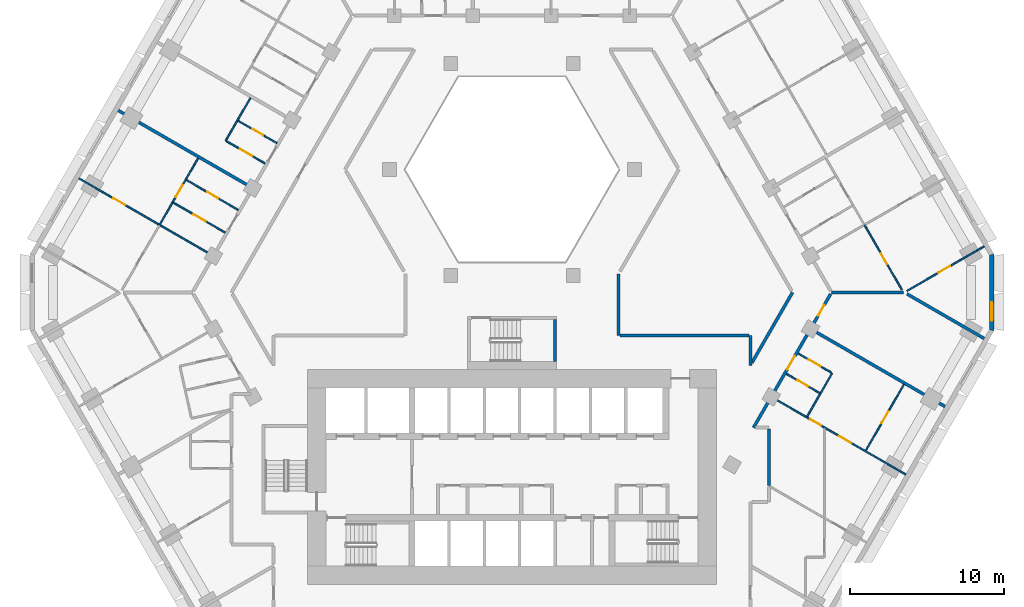
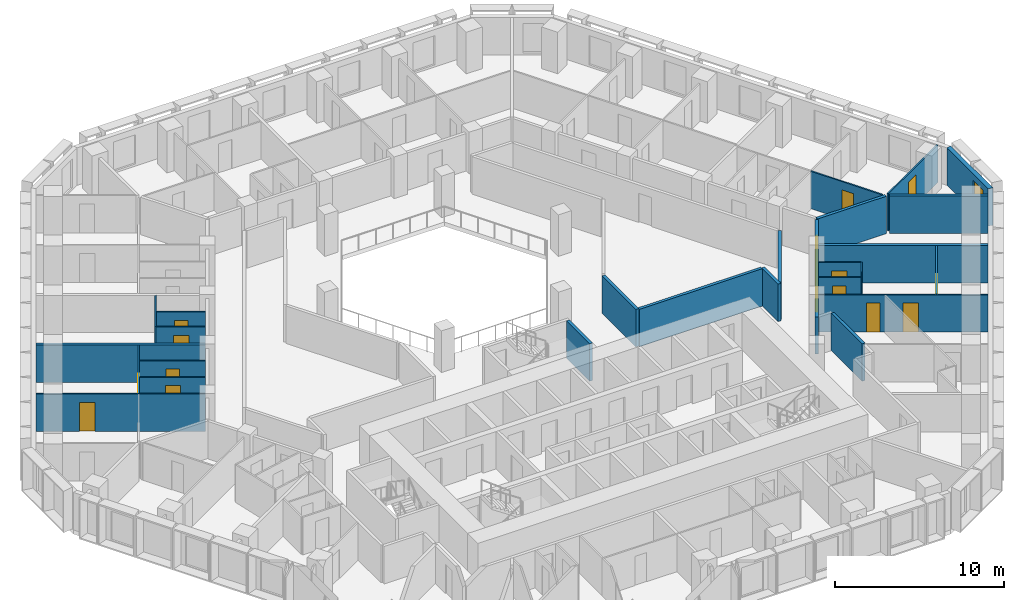
# One storey, part 7 of 16: 26 walls, 15 doors, 1 window, 16 openings.
"""IFC4 building model written with IfcOpenShell, lengths in metres."""

from ifc_helpers import new_model, si_unit, direction, frame, frame_2d, origin, place, context, subcontext, project, spatial, polyline, rectangle, outline, extrude, material, layer, layer_set, type_object, element, fill, save


model = new_model("IFC4")

# Units and contexts
model_context = context("Model", 3, precision=1e-05, world=origin(), true_north=direction((0.0, 1.0)))
body_context = subcontext(model_context, "Body", "Model", "MODEL_VIEW")
ifc_project = project(units=[si_unit("LENGTHUNIT", "METRE"), si_unit("AREAUNIT", "SQUARE_METRE"), si_unit("VOLUMEUNIT", "CUBIC_METRE"), si_unit("PLANEANGLEUNIT", "RADIAN"), si_unit("MASSUNIT", "GRAM", prefix="KILO")], contexts=[model_context])

# Site, building, storey
site_placement = place(None, origin())
site = spatial("IfcSite", under=ifc_project, at=site_placement, CompositionType="ELEMENT")
building_placement = place(site_placement, origin())
building = spatial("IfcBuilding", under=site, at=building_placement, Name="Beryl Residences", CompositionType="ELEMENT")
storey_placement = place(building_placement, frame((0.0, 0.0, 56.39990234375)))
storey = spatial("IfcBuildingStorey", under=building, at=storey_placement, Name="L17", CompositionType="ELEMENT", Elevation=56.39990234375)

# Wall, opening, window
ifc_material_1 = material(Name="Composite metal panel with mineral wool insulation")
ifc_layer_1 = layer(ifc_material_1, 0.300048828125)
ifc_layer_set_1 = layer_set([ifc_layer_1], Name="ES1 pale metal composite panel wall 300 mm")
wall_type_1 = type_object("IfcWallType", Name="ES1 pale metal composite panel wall 300 mm", PredefinedType="SOLIDWALL", material=ifc_layer_set_1)
wall_1_placement = place(storey_placement, frame((31.199951171875, -2.5, 0.0), z_axis=(0.0, 0.0, 1.0), x_axis=(0.0, 1.0, 0.0)))
wall_1 = element("IfcWall", 1, at=wall_1_placement, inside=storey, type_object=wall_type_1, Name="ES1 external wall L17 SE-NE", PredefinedType="SOLIDWALL", context=body_context, shape_type="SweptSolid", body=[
    extrude(outline(polyline([(0.0, -0.14990234375), (5.0, -0.14990234375), (4.919677734375, 0.14990234375), (0.080322265625, 0.14990234375), (0.0, -0.14990234375)])), origin(), (0.0, 0.0, 1.0), 2.7001953125),
])
opening_1_placement = place(wall_1_placement, frame((0.64990234375, 0.0, 0.14990234375)))
opening_1 = element("IfcOpeningElement", 2, at=opening_1_placement, cuts=wall_1, Name="Opening W2", PredefinedType="OPENING", context=body_context, shape_type="SweptSolid", body=[
    extrude(rectangle(XDim=1.199951171875, YDim=2.10009765625, at=frame_2d((0.60009765625, 1.050048828125))), frame((0.0, 0.159912109375, 0.0), z_axis=(0.0, -1.0, 0.0), x_axis=(1.0, 0.0, 0.0)), (0.0, 0.0, 1.0), 0.320068359375),
])
ifc_material_2 = material(Name="Aluminium and clear glass", Category="aluminium")
window_type = type_object("IfcWindowType", Name="W2 chamfer window 1200 x 2100 mm", PartitioningType="SINGLE_PANEL", PredefinedType="WINDOW", material=ifc_material_2)
window_placement = place(opening_1_placement, origin())
window = element("IfcWindow", 3, at=window_placement, inside=storey, type_object=window_type, Name="W2 window L17 SE-NE 1", OverallHeight=2.10009765625, OverallWidth=1.199951171875, PartitioningType="SINGLE_PANEL", PredefinedType="WINDOW", context=body_context, shape_type="SweptSolid", body=[
    extrude(rectangle(XDim=1.199951171875, YDim=2.10009765625, at=frame_2d((0.60009765625, 1.050048828125))), frame((0.0, 0.030029296875, 0.0), z_axis=(0.0, -1.0, 0.0), x_axis=(1.0, 0.0, 0.0)), (0.0, 0.0, 1.0), 0.06005859375),
])
fill(opening_1, window)

# Wall, opening, door
ifc_material_3 = material(Name="Gypsum board partition on steel studs", Category="steel")
ifc_layer_2 = layer(ifc_material_3, 0.10009765625)
ifc_layer_set_2 = layer_set([ifc_layer_2], Name="PT1 partition 100 mm gypsum board on steel studs")
wall_type_2 = type_object("IfcWallType", Name="PT1 partition 100 mm gypsum board on steel studs", PredefinedType="PARTITIONING", material=ifc_layer_set_2)
wall_2_placement = place(storey_placement, frame((-21.177001953125, 7.31396484375, 0.0), z_axis=(0.0, 0.0, 1.0), x_axis=(0.865979019114, -0.500080332001, 0.0)))
wall_2 = element("IfcWall", 4, at=wall_2_placement, inside=storey, type_object=wall_type_2, Name="Wall PT1 L17 011", PredefinedType="PARTITIONING", context=body_context, shape_type="SweptSolid", body=[
    extrude(rectangle(XDim=3.897216796875, YDim=0.10009765625, at=frame_2d((1.94873046875, 0.0))), origin(), (0.0, 0.0, 1.0), 2.7001953125),
])
opening_2_placement = place(wall_2_placement, frame((1.573974609375, 0.0, 0.0)))
opening_2 = element("IfcOpeningElement", 5, at=opening_2_placement, cuts=wall_2, Name="Opening D0505", PredefinedType="OPENING", context=body_context, shape_type="SweptSolid", body=[
    extrude(rectangle(XDim=0.800048828125, YDim=2.10009765625, at=frame_2d((0.39990234375, 1.050048828125))), frame((0.0, 0.06005859375, 0.0), z_axis=(0.0, -1.0, 0.0), x_axis=(1.0, 0.0, 0.0)), (0.0, 0.0, 1.0), 0.1201171875),
])
ifc_material_4 = material(Name="Timber door leaf", Category="wood")
door_type_1 = type_object("IfcDoorType", Name="D3 bathroom door 800 x 2100 mm", OperationType="SINGLE_SWING_LEFT", PredefinedType="DOOR", material=ifc_material_4)
door_1_placement = place(opening_2_placement, origin())
door_1 = element("IfcDoor", 6, at=door_1_placement, inside=storey, type_object=door_type_1, Name="Door D0505 L17 001", OperationType="SINGLE_SWING_LEFT", OverallHeight=2.10009765625, OverallWidth=0.800048828125, PredefinedType="DOOR", context=body_context, shape_type="SweptSolid", body=[
    extrude(rectangle(XDim=0.800048828125, YDim=2.10009765625, at=frame_2d((0.39990234375, 1.050048828125))), frame((0.0, 0.02490234375, 0.0), z_axis=(0.0, -1.0, 0.0), x_axis=(1.0, 0.0, 0.0)), (0.0, 0.0, 1.0), 0.050048828125),
])
fill(opening_2, door_1)

wall_3_placement = place(storey_placement, frame((-22.027099609375, 5.842041015625, 0.0), z_axis=(0.0, 0.0, 1.0), x_axis=(0.865979019114, -0.500080332001, 0.0)))
wall_3 = element("IfcWall", 7, at=wall_3_placement, inside=storey, type_object=wall_type_2, Name="Wall PT1 L17 012", PredefinedType="PARTITIONING", context=body_context, shape_type="SweptSolid", body=[
    extrude(rectangle(XDim=3.897216796875, YDim=0.10009765625, at=frame_2d((1.94873046875, 0.0))), origin(), (0.0, 0.0, 1.0), 2.7001953125),
])
opening_3_placement = place(wall_3_placement, frame((1.52392578125, 0.0, 0.0)))
opening_3 = element("IfcOpeningElement", 8, at=opening_3_placement, cuts=wall_3, Name="Opening D0506", PredefinedType="OPENING", context=body_context, shape_type="SweptSolid", body=[
    extrude(rectangle(XDim=0.89990234375, YDim=2.10009765625, at=frame_2d((0.449951171875, 1.050048828125))), frame((0.0, 0.06005859375, 0.0), z_axis=(0.0, -1.0, 0.0), x_axis=(1.0, 0.0, 0.0)), (0.0, 0.0, 1.0), 0.1201171875),
])
ifc_material_5 = material(Name="Timber door leaf", Category="wood")
door_type_2 = type_object("IfcDoorType", Name="D2 room door 900 x 2100 mm", OperationType="SINGLE_SWING_LEFT", PredefinedType="DOOR", material=ifc_material_5)
door_2_placement = place(opening_3_placement, origin())
door_2 = element("IfcDoor", 9, at=door_2_placement, inside=storey, type_object=door_type_2, Name="Door D0506 L17 001", OperationType="SINGLE_SWING_RIGHT", OverallHeight=2.10009765625, OverallWidth=0.89990234375, PredefinedType="DOOR", context=body_context, shape_type="SweptSolid", body=[
    extrude(rectangle(XDim=0.89990234375, YDim=2.10009765625, at=frame_2d((0.449951171875, 1.050048828125))), frame((0.0, 0.02490234375, 0.0), z_axis=(0.0, -1.0, 0.0), x_axis=(1.0, 0.0, 0.0)), (0.0, 0.0, 1.0), 0.050048828125),
])
fill(opening_3, door_2)

wall_4_placement = place(storey_placement, frame((-28.1640625, 7.4189453125, 0.0), z_axis=(0.0, 0.0, 1.0), x_axis=(0.866047370643, -0.499961950354, 0.0)))
wall_4 = element("IfcWall", 10, at=wall_4_placement, inside=storey, type_object=wall_type_2, Name="Wall PT1 L17 013", PredefinedType="PARTITIONING", context=body_context, shape_type="SweptSolid", body=[
    extrude(rectangle(XDim=10.000732421875, YDim=0.10009765625, at=frame_2d((5.00048828125, 0.0))), origin(), (0.0, 0.0, 1.0), 2.7001953125),
])
opening_4_placement = place(wall_4_placement, frame((2.576904296875, 0.0, 0.0)))
opening_4 = element("IfcOpeningElement", 11, at=opening_4_placement, cuts=wall_4, Name="Opening D0508", PredefinedType="OPENING", context=body_context, shape_type="SweptSolid", body=[
    extrude(rectangle(XDim=0.89990234375, YDim=2.10009765625, at=frame_2d((0.449951171875, 1.050048828125))), frame((0.0, 0.06005859375, 0.0), z_axis=(0.0, -1.0, 0.0), x_axis=(1.0, 0.0, 0.0)), (0.0, 0.0, 1.0), 0.1201171875),
])
door_3_placement = place(opening_4_placement, origin())
door_3 = element("IfcDoor", 12, at=door_3_placement, inside=storey, type_object=door_type_2, Name="Door D0508 L17 001", OperationType="SINGLE_SWING_RIGHT", OverallHeight=2.10009765625, OverallWidth=0.89990234375, PredefinedType="DOOR", context=body_context, shape_type="SweptSolid", body=[
    extrude(rectangle(XDim=0.89990234375, YDim=2.10009765625, at=frame_2d((0.449951171875, 1.050048828125))), frame((0.0, 0.02490234375, 0.0), z_axis=(0.0, -1.0, 0.0), x_axis=(1.0, 0.0, 0.0)), (0.0, 0.0, 1.0), 0.050048828125),
])
fill(opening_4, door_3)

wall_5_placement = place(storey_placement, frame((-18.576904296875, 9.841064453125, 0.0), z_axis=(0.0, 0.0, 1.0), x_axis=(0.865899003441, -0.500218867937, 0.0)))
wall_5 = element("IfcWall", 13, at=wall_5_placement, inside=storey, type_object=wall_type_2, Name="Wall PT1 L17 014", PredefinedType="PARTITIONING", context=body_context, shape_type="SweptSolid", body=[
    extrude(rectangle(XDim=2.908935546875, YDim=0.10009765625, at=frame_2d((1.45458984375, 0.0))), origin(), (0.0, 0.0, 1.0), 2.7001953125),
])
opening_5_placement = place(wall_5_placement, frame((1.029052734375, 0.0, 0.0)))
opening_5 = element("IfcOpeningElement", 14, at=opening_5_placement, cuts=wall_5, Name="Opening D0502", PredefinedType="OPENING", context=body_context, shape_type="SweptSolid", body=[
    extrude(rectangle(XDim=0.89990234375, YDim=2.10009765625, at=frame_2d((0.449951171875, 1.050048828125))), frame((0.0, 0.06005859375, 0.0), z_axis=(0.0, -1.0, 0.0), x_axis=(1.0, 0.0, 0.0)), (0.0, 0.0, 1.0), 0.1201171875),
])
door_4_placement = place(opening_5_placement, origin())
door_4 = element("IfcDoor", 15, at=door_4_placement, inside=storey, type_object=door_type_2, Name="Door D0502 L17 001", OperationType="SINGLE_SWING_RIGHT", OverallHeight=2.10009765625, OverallWidth=0.89990234375, PredefinedType="DOOR", context=body_context, shape_type="SweptSolid", body=[
    extrude(rectangle(XDim=0.89990234375, YDim=2.10009765625, at=frame_2d((0.449951171875, 1.050048828125))), frame((0.0, 0.02490234375, 0.0), z_axis=(0.0, -1.0, 0.0), x_axis=(1.0, 0.0, 0.0)), (0.0, 0.0, 1.0), 0.050048828125),
])
fill(opening_5, door_4)

wall_6_placement = place(storey_placement, frame((17.843994140625, -5.2919921875, 0.0), z_axis=(0.0, 0.0, 1.0), x_axis=(0.866038211682, -0.499977815414, 0.0)))
wall_6 = element("IfcWall", 16, at=wall_6_placement, inside=storey, type_object=wall_type_2, Name="Wall PT1 L17 018", PredefinedType="PARTITIONING", context=body_context, shape_type="SweptSolid", body=[
    extrude(rectangle(XDim=2.51025390625, YDim=0.10009765625, at=frame_2d((1.255126953125, 0.0))), origin(), (0.0, 0.0, 1.0), 2.7001953125),
])
opening_6_placement = place(wall_6_placement, frame((0.830078125, 0.0, 0.0)))
opening_6 = element("IfcOpeningElement", 17, at=opening_6_placement, cuts=wall_6, Name="Opening D0538", PredefinedType="OPENING", context=body_context, shape_type="SweptSolid", body=[
    extrude(rectangle(XDim=0.800048828125, YDim=2.10009765625, at=frame_2d((0.39990234375, 1.050048828125))), frame((0.0, 0.06005859375, 0.0), z_axis=(0.0, -1.0, 0.0), x_axis=(1.0, 0.0, 0.0)), (0.0, 0.0, 1.0), 0.1201171875),
])
door_5_placement = place(opening_6_placement, origin())
door_5 = element("IfcDoor", 18, at=door_5_placement, inside=storey, type_object=door_type_1, Name="Door D0538 L17 001", OperationType="SINGLE_SWING_RIGHT", OverallHeight=2.10009765625, OverallWidth=0.800048828125, PredefinedType="DOOR", context=body_context, shape_type="SweptSolid", body=[
    extrude(rectangle(XDim=0.800048828125, YDim=2.10009765625, at=frame_2d((0.39990234375, 1.050048828125))), frame((0.0, 0.02490234375, 0.0), z_axis=(0.0, -1.0, 0.0), x_axis=(1.0, 0.0, 0.0)), (0.0, 0.0, 1.0), 0.050048828125),
])
fill(opening_6, door_5)

wall_7_placement = place(storey_placement, frame((18.610107421875, -3.966064453125, 0.0), z_axis=(0.0, 0.0, 1.0), x_axis=(0.865958718457, -0.500115484592, 0.0)))
wall_7 = element("IfcWall", 19, at=wall_7_placement, inside=storey, type_object=wall_type_2, Name="Wall PT1 L17 019", PredefinedType="PARTITIONING", context=body_context, shape_type="SweptSolid", body=[
    extrude(rectangle(XDim=2.50927734375, YDim=0.10009765625, at=frame_2d((1.254638671875, 0.0))), origin(), (0.0, 0.0, 1.0), 2.7001953125),
])
opening_7_placement = place(wall_7_placement, frame((0.780029296875, 0.0, 0.0)))
opening_7 = element("IfcOpeningElement", 20, at=opening_7_placement, cuts=wall_7, Name="Opening D0537", PredefinedType="OPENING", context=body_context, shape_type="SweptSolid", body=[
    extrude(rectangle(XDim=0.89990234375, YDim=2.10009765625, at=frame_2d((0.449951171875, 1.050048828125))), frame((0.0, 0.06005859375, 0.0), z_axis=(0.0, -1.0, 0.0), x_axis=(1.0, 0.0, 0.0)), (0.0, 0.0, 1.0), 0.1201171875),
])
door_6_placement = place(opening_7_placement, origin())
door_6 = element("IfcDoor", 21, at=door_6_placement, inside=storey, type_object=door_type_2, Name="Door D0537 L17 001", OperationType="SINGLE_SWING_LEFT", OverallHeight=2.10009765625, OverallWidth=0.89990234375, PredefinedType="DOOR", context=body_context, shape_type="SweptSolid", body=[
    extrude(rectangle(XDim=0.89990234375, YDim=2.10009765625, at=frame_2d((0.449951171875, 1.050048828125))), frame((0.0, 0.02490234375, 0.0), z_axis=(0.0, -1.0, 0.0), x_axis=(1.0, 0.0, 0.0)), (0.0, 0.0, 1.0), 0.050048828125),
])
fill(opening_7, door_6)

wall_8_placement = place(storey_placement, frame((-17.81298828125, 11.1669921875, 0.0), z_axis=(0.0, 0.0, 1.0), x_axis=(0.866087824531, -0.499891868507, 0.0)))
wall_8 = element("IfcWall", 22, at=wall_8_placement, inside=storey, type_object=wall_type_2, Name="Wall PT1 L17 021", PredefinedType="PARTITIONING", context=body_context, shape_type="SweptSolid", body=[
    extrude(rectangle(XDim=2.910888671875, YDim=0.10009765625, at=frame_2d((1.45556640625, 0.0))), origin(), (0.0, 0.0, 1.0), 2.7001953125),
])
opening_8_placement = place(wall_8_placement, frame((1.080078125, 0.0, 0.0)))
opening_8 = element("IfcOpeningElement", 23, at=opening_8_placement, cuts=wall_8, Name="Opening D0503", PredefinedType="OPENING", context=body_context, shape_type="SweptSolid", body=[
    extrude(rectangle(XDim=0.800048828125, YDim=2.10009765625, at=frame_2d((0.39990234375, 1.050048828125))), frame((0.0, 0.06005859375, 0.0), z_axis=(0.0, -1.0, 0.0), x_axis=(1.0, 0.0, 0.0)), (0.0, 0.0, 1.0), 0.1201171875),
])
door_7_placement = place(opening_8_placement, origin())
door_7 = element("IfcDoor", 24, at=door_7_placement, inside=storey, type_object=door_type_1, Name="Door D0503 L17 001", OperationType="SINGLE_SWING_LEFT", OverallHeight=2.10009765625, OverallWidth=0.800048828125, PredefinedType="DOOR", context=body_context, shape_type="SweptSolid", body=[
    extrude(rectangle(XDim=0.800048828125, YDim=2.10009765625, at=frame_2d((0.39990234375, 1.050048828125))), frame((0.0, 0.02490234375, 0.0), z_axis=(0.0, -1.0, 0.0), x_axis=(1.0, 0.0, 0.0)), (0.0, 0.0, 1.0), 0.050048828125),
])
fill(opening_8, door_7)

# Wall, openings, doors
wall_9_placement = place(storey_placement, frame((16.950927734375, -6.839111328125, 0.0), z_axis=(0.0, 0.0, 1.0), x_axis=(0.866022959057, -0.500004234368, 0.0)))
wall_9 = element("IfcWall", 25, at=wall_9_placement, inside=storey, type_object=wall_type_2, Name="Wall PT1 L17 024", PredefinedType="PARTITIONING", context=body_context, shape_type="SweptSolid", body=[
    extrude(rectangle(XDim=10.0, YDim=0.10009765625, at=frame_2d((5.0, 0.0))), origin(), (0.0, 0.0, 1.0), 2.7001953125),
])
opening_9_placement = place(wall_9_placement, frame((4.9951171875, 0.0, 0.0)))
opening_9 = element("IfcOpeningElement", 26, at=opening_9_placement, cuts=wall_9, Name="Opening D0540", PredefinedType="OPENING", context=body_context, shape_type="SweptSolid", body=[
    extrude(rectangle(XDim=0.89990234375, YDim=2.10009765625, at=frame_2d((0.449951171875, 1.050048828125))), frame((0.0, 0.06005859375, 0.0), z_axis=(0.0, -1.0, 0.0), x_axis=(1.0, 0.0, 0.0)), (0.0, 0.0, 1.0), 0.1201171875),
])
opening_10_placement = place(wall_9_placement, frame((2.820068359375, 0.0, 0.0)))
opening_10 = element("IfcOpeningElement", 27, at=opening_10_placement, cuts=wall_9, Name="Opening D0541", PredefinedType="OPENING", context=body_context, shape_type="SweptSolid", body=[
    extrude(rectangle(XDim=0.800048828125, YDim=2.10009765625, at=frame_2d((0.39990234375, 1.050048828125))), frame((0.0, 0.06005859375, 0.0), z_axis=(0.0, -1.0, 0.0), x_axis=(1.0, 0.0, 0.0)), (0.0, 0.0, 1.0), 0.1201171875),
])
door_8_placement = place(opening_9_placement, origin())
door_8 = element("IfcDoor", 28, at=door_8_placement, inside=storey, type_object=door_type_2, Name="Door D0540 L17 001", OperationType="SINGLE_SWING_RIGHT", OverallHeight=2.10009765625, OverallWidth=0.89990234375, PredefinedType="DOOR", context=body_context, shape_type="SweptSolid", body=[
    extrude(rectangle(XDim=0.89990234375, YDim=2.10009765625, at=frame_2d((0.449951171875, 1.050048828125))), frame((0.0, 0.02490234375, 0.0), z_axis=(0.0, -1.0, 0.0), x_axis=(1.0, 0.0, 0.0)), (0.0, 0.0, 1.0), 0.050048828125),
])
fill(opening_9, door_8)
door_9_placement = place(opening_10_placement, origin())
door_9 = element("IfcDoor", 29, at=door_9_placement, inside=storey, type_object=door_type_1, Name="Door D0541 L17 001", OperationType="SINGLE_SWING_LEFT", OverallHeight=2.10009765625, OverallWidth=0.800048828125, PredefinedType="DOOR", context=body_context, shape_type="SweptSolid", body=[
    extrude(rectangle(XDim=0.800048828125, YDim=2.10009765625, at=frame_2d((0.39990234375, 1.050048828125))), frame((0.0, 0.02490234375, 0.0), z_axis=(0.0, -1.0, 0.0), x_axis=(1.0, 0.0, 0.0)), (0.0, 0.0, 1.0), 0.050048828125),
])
fill(opening_10, door_9)

# Wall
wall_10_placement = place(storey_placement, frame((19.193115234375, -8.075927734375, 0.0), z_axis=(0.0, 0.0, 1.0), x_axis=(0.499901468276, 0.866082283629, 0.0)))
element("IfcWall", 30, at=wall_10_placement, inside=storey, type_object=wall_type_2, Name="Wall PT1 L17 036", PredefinedType="PARTITIONING", context=body_context, shape_type="SweptSolid", body=[
    extrude(rectangle(XDim=3.266357421875, YDim=0.10009765625, at=frame_2d((1.63330078125, 0.0))), origin(), (0.0, 0.0, 1.0), 2.7001953125),
])

# Wall, opening, door
wall_11_placement = place(storey_placement, frame((23.012939453125, -10.281005859375, 0.0), z_axis=(0.0, 0.0, 1.0), x_axis=(0.499881743012, 0.866093668724, 0.0)))
wall_11 = element("IfcWall", 31, at=wall_11_placement, inside=storey, type_object=wall_type_2, Name="Wall PT1 L17 037", PredefinedType="PARTITIONING", context=body_context, shape_type="SweptSolid", body=[
    extrude(rectangle(XDim=4.953369140625, YDim=0.10009765625, at=frame_2d((2.4765625, 0.0))), origin(), (0.0, 0.0, 1.0), 2.7001953125),
])
opening_11_placement = place(wall_11_placement, frame((2.052001953125, 0.0, 0.0)))
opening_11 = element("IfcOpeningElement", 32, at=opening_11_placement, cuts=wall_11, Name="Opening D0539", PredefinedType="OPENING", context=body_context, shape_type="SweptSolid", body=[
    extrude(rectangle(XDim=0.89990234375, YDim=2.10009765625, at=frame_2d((0.449951171875, 1.050048828125))), frame((0.0, 0.06005859375, 0.0), z_axis=(0.0, -1.0, 0.0), x_axis=(1.0, 0.0, 0.0)), (0.0, 0.0, 1.0), 0.1201171875),
])
door_10_placement = place(opening_11_placement, origin())
door_10 = element("IfcDoor", 33, at=door_10_placement, inside=storey, type_object=door_type_2, Name="Door D0539 L17 001", OperationType="SINGLE_SWING_LEFT", OverallHeight=2.10009765625, OverallWidth=0.89990234375, PredefinedType="DOOR", context=body_context, shape_type="SweptSolid", body=[
    extrude(rectangle(XDim=0.89990234375, YDim=2.10009765625, at=frame_2d((0.449951171875, 1.050048828125))), frame((0.0, 0.02490234375, 0.0), z_axis=(0.0, -1.0, 0.0), x_axis=(1.0, 0.0, 0.0)), (0.0, 0.0, 1.0), 0.050048828125),
])
fill(opening_11, door_10)

# Wall
wall_12_placement = place(storey_placement, frame((-18.62109375, 9.866943359375, 0.0), z_axis=(0.0, 0.0, 1.0), x_axis=(0.500197891286, 0.865911121047, 0.0)))
element("IfcWall", 34, at=wall_12_placement, inside=storey, type_object=wall_type_2, Name="Wall PT1 L17 038", PredefinedType="PARTITIONING", context=body_context, shape_type="SweptSolid", body=[
    extrude(rectangle(XDim=3.215087890625, YDim=0.10009765625, at=frame_2d((1.607421875, 0.0))), origin(), (0.0, 0.0, 1.0), 2.7001953125),
])

# Wall, opening, door
wall_13_placement = place(storey_placement, frame((25.69189453125, 0.10107421875, 0.0), z_axis=(0.0, 0.0, 1.0), x_axis=(0.866116197112, 0.49984270836, 0.0)))
wall_13 = element("IfcWall", 35, at=wall_13_placement, inside=storey, type_object=wall_type_2, Name="Wall PT1 L17 061", PredefinedType="PARTITIONING", context=body_context, shape_type="SweptSolid", body=[
    extrude(rectangle(XDim=5.799560546875, YDim=0.10009765625, at=frame_2d((2.89990234375, 0.0))), origin(), (0.0, 0.0, 1.0), 2.7001953125),
])
opening_12_placement = place(wall_13_placement, frame((2.35009765625, 0.0, 0.0)))
opening_12 = element("IfcOpeningElement", 36, at=opening_12_placement, cuts=wall_13, Name="Opening D0550", PredefinedType="OPENING", context=body_context, shape_type="SweptSolid", body=[
    extrude(rectangle(XDim=0.89990234375, YDim=2.10009765625, at=frame_2d((0.449951171875, 1.050048828125))), frame((0.0, 0.06005859375, 0.0), z_axis=(0.0, -1.0, 0.0), x_axis=(1.0, 0.0, 0.0)), (0.0, 0.0, 1.0), 0.1201171875),
])
door_11_placement = place(opening_12_placement, origin())
door_11 = element("IfcDoor", 37, at=door_11_placement, inside=storey, type_object=door_type_2, Name="Door D0550 L17 001", OperationType="SINGLE_SWING_RIGHT", OverallHeight=2.10009765625, OverallWidth=0.89990234375, PredefinedType="DOOR", context=body_context, shape_type="SweptSolid", body=[
    extrude(rectangle(XDim=0.89990234375, YDim=2.10009765625, at=frame_2d((0.449951171875, 1.050048828125))), frame((0.0, 0.02490234375, 0.0), z_axis=(0.0, -1.0, 0.0), x_axis=(1.0, 0.0, 0.0)), (0.0, 0.0, 1.0), 0.050048828125),
])
fill(opening_12, door_11)

wall_14_placement = place(storey_placement, frame((22.9208984375, 4.39404296875, 0.0), z_axis=(0.0, 0.0, 1.0), x_axis=(0.500093956194, -0.865971151354, 0.0)))
wall_14 = element("IfcWall", 38, at=wall_14_placement, inside=storey, type_object=wall_type_2, Name="Wall PT1 L17 068", PredefinedType="PARTITIONING", context=body_context, shape_type="SweptSolid", body=[
    extrude(rectangle(XDim=4.873046875, YDim=0.10009765625, at=frame_2d((2.4365234375, 0.0))), origin(), (0.0, 0.0, 1.0), 2.7001953125),
])
opening_13_placement = place(wall_14_placement, frame((2.136962890625, 0.0, 0.0)))
opening_13 = element("IfcOpeningElement", 39, at=opening_13_placement, cuts=wall_14, Name="Opening D0551", PredefinedType="OPENING", context=body_context, shape_type="SweptSolid", body=[
    extrude(rectangle(XDim=0.800048828125, YDim=2.10009765625, at=frame_2d((0.39990234375, 1.050048828125))), frame((0.0, 0.06005859375, 0.0), z_axis=(0.0, -1.0, 0.0), x_axis=(1.0, 0.0, 0.0)), (0.0, 0.0, 1.0), 0.1201171875),
])
door_12_placement = place(opening_13_placement, origin())
door_12 = element("IfcDoor", 40, at=door_12_placement, inside=storey, type_object=door_type_1, Name="Door D0551 L17 001", OperationType="SINGLE_SWING_LEFT", OverallHeight=2.10009765625, OverallWidth=0.800048828125, PredefinedType="DOOR", context=body_context, shape_type="SweptSolid", body=[
    extrude(rectangle(XDim=0.800048828125, YDim=2.10009765625, at=frame_2d((0.39990234375, 1.050048828125))), frame((0.0, 0.02490234375, 0.0), z_axis=(0.0, -1.0, 0.0), x_axis=(1.0, 0.0, 0.0)), (0.0, 0.0, 1.0), 0.050048828125),
])
fill(opening_13, door_12)

wall_15_placement = place(storey_placement, frame((-22.9208984375, 4.39208984375, 0.0), z_axis=(0.0, 0.0, 1.0), x_axis=(0.499958946799, 0.866049104564, 0.0)))
wall_15 = element("IfcWall", 41, at=wall_15_placement, inside=storey, type_object=wall_type_2, Name="Wall PT1 L17 071", PredefinedType="PARTITIONING", context=body_context, shape_type="SweptSolid", body=[
    extrude(rectangle(XDim=5.00439453125, YDim=0.10009765625, at=frame_2d((2.502197265625, 0.0))), origin(), (0.0, 0.0, 1.0), 2.7001953125),
])
opening_14_placement = place(wall_15_placement, frame((2.10302734375, 0.0, 0.0)))
opening_14 = element("IfcOpeningElement", 42, at=opening_14_placement, cuts=wall_15, Name="Opening D0507", PredefinedType="OPENING", context=body_context, shape_type="SweptSolid", body=[
    extrude(rectangle(XDim=0.89990234375, YDim=2.10009765625, at=frame_2d((0.449951171875, 1.050048828125))), frame((0.0, 0.06005859375, 0.0), z_axis=(0.0, -1.0, 0.0), x_axis=(1.0, 0.0, 0.0)), (0.0, 0.0, 1.0), 0.1201171875),
])
door_13_placement = place(opening_14_placement, origin())
door_13 = element("IfcDoor", 43, at=door_13_placement, inside=storey, type_object=door_type_2, Name="Door D0507 L17 001", OperationType="SINGLE_SWING_LEFT", OverallHeight=2.10009765625, OverallWidth=0.89990234375, PredefinedType="DOOR", context=body_context, shape_type="SweptSolid", body=[
    extrude(rectangle(XDim=0.89990234375, YDim=2.10009765625, at=frame_2d((0.449951171875, 1.050048828125))), frame((0.0, 0.02490234375, 0.0), z_axis=(0.0, -1.0, 0.0), x_axis=(1.0, 0.0, 0.0)), (0.0, 0.0, 1.0), 0.050048828125),
])
fill(opening_14, door_13)

# Walls
ifc_material_6 = material(Name="Acoustic double stud gypsum board wall")
ifc_layer_3 = layer(ifc_material_6, 0.199951171875)
ifc_layer_set_3 = layer_set([ifc_layer_3], Name="PT3 party wall 200 mm acoustic double stud")
wall_type_3 = type_object("IfcWallType", Name="PT3 party wall 200 mm acoustic double stud", PredefinedType="PARTITIONING", material=ifc_layer_set_3)
for number, where, z_axis, x_axis, name in (
    (44, (-25.611083984375, 11.839111328125, 0.0), (0.0, 0.0, 1.0), (0.866022959057, -0.500004234368, 0.0), "Wall PT3 L17 005"),
    (45, (19.5029296875, -2.4189453125, 0.0), (0.0, 0.0, 1.0), (0.866022959057, -0.500004234368, 0.0), "Wall PT3 L17 006"),
):
    element("IfcWall", number, at=place(storey_placement, frame(where, z_axis=z_axis, x_axis=x_axis)), inside=storey, type_object=wall_type_3, Name=name, PredefinedType="PARTITIONING", context=body_context, shape_type="SweptSolid", body=[
        extrude(rectangle(XDim=10.0, YDim=0.199951171875, at=frame_2d((5.0, 0.0))), origin(), (0.0, 0.0, 1.0), 2.7001953125),
    ])
wall_16_placement = place(storey_placement, frame((25.693115234375, -0.09912109375, 0.0), z_axis=(0.0, 0.0, 1.0), x_axis=(0.866032775405, -0.499987231761, 0.0)))
element("IfcWall", 46, at=wall_16_placement, inside=storey, type_object=wall_type_3, Name="Wall PT3 L17 007", PredefinedType="PARTITIONING", context=body_context, shape_type="SweptSolid", body=[
    extrude(rectangle(XDim=5.800048828125, YDim=0.199951171875, at=frame_2d((2.89990234375, 0.0))), origin(), (0.0, 0.0, 1.0), 2.7001953125),
])
wall_17_placement = place(storey_placement, frame((20.783935546875, 0.0009765625, 0.0), z_axis=(0.0, 0.0, 1.0), x_axis=(1.0, 0.0, 0.0)))
element("IfcWall", 47, at=wall_17_placement, inside=storey, type_object=wall_type_3, Name="Wall PT3 L17 010", PredefinedType="PARTITIONING", context=body_context, shape_type="SweptSolid", body=[
    extrude(rectangle(XDim=4.694091796875, YDim=0.199951171875, at=frame_2d((2.34716796875, 0.0))), origin(), (0.0, 0.0, 1.0), 2.7001953125),
])
ifc_material_7 = material(Name="Double stud gypsum board wall")
ifc_layer_4 = layer(ifc_material_7, 0.199951171875)
ifc_layer_set_4 = layer_set([ifc_layer_4], Name="PT4 corridor wall 200 mm double stud")
wall_type_4 = type_object("IfcWallType", Name="PT4 corridor wall 200 mm double stud", PredefinedType="PARTITIONING", material=ifc_layer_set_4)
wall_18_placement = place(storey_placement, frame((16.72802734375, -8.89501953125, 0.0), z_axis=(0.0, 0.0, 1.0), x_axis=(0.0, -1.0, 0.0)))
element("IfcWall", 48, at=wall_18_placement, inside=storey, type_object=wall_type_4, Name="Wall PT4 L17 009", PredefinedType="PARTITIONING", context=body_context, shape_type="SweptSolid", body=[
    extrude(rectangle(XDim=3.64990234375, YDim=0.199951171875, at=frame_2d((1.824951171875, 0.0))), origin(), (0.0, 0.0, 1.0), 2.7001953125),
])
wall_19_placement = place(storey_placement, frame((7.028076171875, -2.800048828125, 0.0), z_axis=(0.0, 0.0, 1.0), x_axis=(1.0, 0.0, 0.0)))
element("IfcWall", 49, at=wall_19_placement, inside=storey, type_object=wall_type_4, Name="Wall PT4 L17 016", PredefinedType="PARTITIONING", context=body_context, shape_type="SweptSolid", body=[
    extrude(rectangle(XDim=8.371826171875, YDim=0.199951171875, at=frame_2d((4.18603515625, 0.0))), origin(), (0.0, 0.0, 1.0), 2.7001953125),
])
wall_20_placement = place(storey_placement, frame((15.60009765625, -4.5791015625, 0.0), z_axis=(0.0, 0.0, 1.0), x_axis=(0.499927597274, 0.866067201483, 0.0)))
element("IfcWall", 50, at=wall_20_placement, inside=storey, type_object=wall_type_4, Name="Wall PT4 L17 021", PredefinedType="PARTITIONING", context=body_context, shape_type="SweptSolid", body=[
    extrude(rectangle(XDim=5.288330078125, YDim=0.199951171875, at=frame_2d((2.64404296875, 0.0))), origin(), (0.0, 0.0, 1.0), 2.7001953125),
])

# Wall, openings, doors
wall_21_placement = place(storey_placement, frame((15.70703125, -8.7939453125, 0.0), z_axis=(0.0, 0.0, 1.0), x_axis=(0.50000451406, 0.866022797575, 0.0)))
wall_21 = element("IfcWall", 51, at=wall_21_placement, inside=storey, type_object=wall_type_4, Name="Wall PT4 L17 022", PredefinedType="PARTITIONING", context=body_context, shape_type="SweptSolid", body=[
    extrude(rectangle(XDim=10.0400390625, YDim=0.199951171875, at=frame_2d((5.02001953125, 0.0))), origin(), (0.0, 0.0, 1.0), 2.7001953125),
])
opening_15_placement = place(wall_21_placement, frame((4.366943359375, 0.0, 0.0)))
opening_15 = element("IfcOpeningElement", 52, at=opening_15_placement, cuts=wall_21, Name="Opening D0536", PredefinedType="OPENING", context=body_context, shape_type="SweptSolid", body=[
    extrude(rectangle(XDim=1.0, YDim=2.10009765625, at=frame_2d((0.5, 1.050048828125))), frame((0.0, 0.10986328125, 0.0), z_axis=(0.0, -1.0, 0.0), x_axis=(1.0, 0.0, 0.0)), (0.0, 0.0, 1.0), 0.219970703125),
])
opening_16_placement = place(wall_21_placement, frame((8.402099609375, 0.0, 0.0)))
opening_16 = element("IfcOpeningElement", 53, at=opening_16_placement, cuts=wall_21, Name="Opening D0544", PredefinedType="OPENING", context=body_context, shape_type="SweptSolid", body=[
    extrude(rectangle(XDim=0.800048828125, YDim=2.10009765625, at=frame_2d((0.39990234375, 1.050048828125))), frame((0.0, 0.10986328125, 0.0), z_axis=(0.0, -1.0, 0.0), x_axis=(1.0, 0.0, 0.0)), (0.0, 0.0, 1.0), 0.219970703125),
])
ifc_material_8 = material(Name="Timber door leaf", Category="wood")
door_type_3 = type_object("IfcDoorType", Name="D1 flat entrance door 1000 x 2100 mm", OperationType="SINGLE_SWING_LEFT", PredefinedType="DOOR", material=ifc_material_8)
door_14_placement = place(opening_15_placement, origin())
door_14 = element("IfcDoor", 54, at=door_14_placement, inside=storey, type_object=door_type_3, Name="Door D0536 L17 001", OperationType="SINGLE_SWING_RIGHT", OverallHeight=2.10009765625, OverallWidth=1.0, PredefinedType="DOOR", context=body_context, shape_type="SweptSolid", body=[
    extrude(rectangle(XDim=1.0, YDim=2.10009765625, at=frame_2d((0.5, 1.050048828125))), frame((0.0, 0.02490234375, 0.0), z_axis=(0.0, -1.0, 0.0), x_axis=(1.0, 0.0, 0.0)), (0.0, 0.0, 1.0), 0.050048828125),
])
fill(opening_15, door_14)
door_15_placement = place(opening_16_placement, origin())
door_15 = element("IfcDoor", 55, at=door_15_placement, inside=storey, type_object=door_type_1, Name="Door D0544 L17 001", OperationType="SINGLE_SWING_RIGHT", OverallHeight=2.10009765625, OverallWidth=0.800048828125, PredefinedType="DOOR", context=body_context, shape_type="SweptSolid", body=[
    extrude(rectangle(XDim=0.800048828125, YDim=2.10009765625, at=frame_2d((0.39990234375, 1.050048828125))), frame((0.0, 0.02490234375, 0.0), z_axis=(0.0, -1.0, 0.0), x_axis=(1.0, 0.0, 0.0)), (0.0, 0.0, 1.0), 0.050048828125),
])
fill(opening_16, door_15)

# Walls
wall_22_placement = place(storey_placement, frame((6.927978515625, -2.800048828125, 0.0), z_axis=(0.0, 0.0, 1.0), x_axis=(0.0, 1.0, 0.0)))
element("IfcWall", 56, at=wall_22_placement, inside=storey, type_object=wall_type_4, Name="Wall PT4 L17 026", PredefinedType="PARTITIONING", context=body_context, shape_type="SweptSolid", body=[
    extrude(rectangle(XDim=4.0, YDim=0.199951171875, at=frame_2d((2.0, 0.0))), origin(), (0.0, 0.0, 1.0), 2.7001953125),
])
wall_23_placement = place(storey_placement, frame((15.5, -4.751953125, 0.0), z_axis=(0.0, 0.0, 1.0), x_axis=(0.0, 1.0, 0.0)))
element("IfcWall", 57, at=wall_23_placement, inside=storey, type_object=wall_type_4, Name="Wall PT4 L17 028", PredefinedType="PARTITIONING", context=body_context, shape_type="SweptSolid", body=[
    extrude(rectangle(XDim=1.951904296875, YDim=0.199951171875, at=frame_2d((0.97607421875, 0.0))), origin(), (0.0, 0.0, 1.0), 2.7001953125),
])
ifc_material_9 = material(Name="Concrete C40/50", Category="concrete")
ifc_layer_5 = layer(ifc_material_9, 0.199951171875)
ifc_layer_set_5 = layer_set([ifc_layer_5], Name="PT5 stair enclosure wall 200 mm reinforced concrete C40/50")
wall_type_5 = type_object("IfcWallType", Name="PT5 stair enclosure wall 200 mm reinforced concrete C40/50", PredefinedType="SOLIDWALL", material=ifc_layer_set_5)
wall_24_placement = place(storey_placement, frame((2.800048828125, -4.5, 0.0), z_axis=(0.0, 0.0, 1.0), x_axis=(0.0, 1.0, 0.0)))
element("IfcWall", 58, at=wall_24_placement, inside=storey, type_object=wall_type_5, Name="Wall PT5 L17 003", PredefinedType="SOLIDWALL", context=body_context, shape_type="SweptSolid", body=[
    extrude(rectangle(XDim=2.75, YDim=0.199951171875, at=frame_2d((1.375, 0.0))), origin(), (0.0, 0.0, 1.0), 2.7001953125),
])

save(model, "model.ifc")
